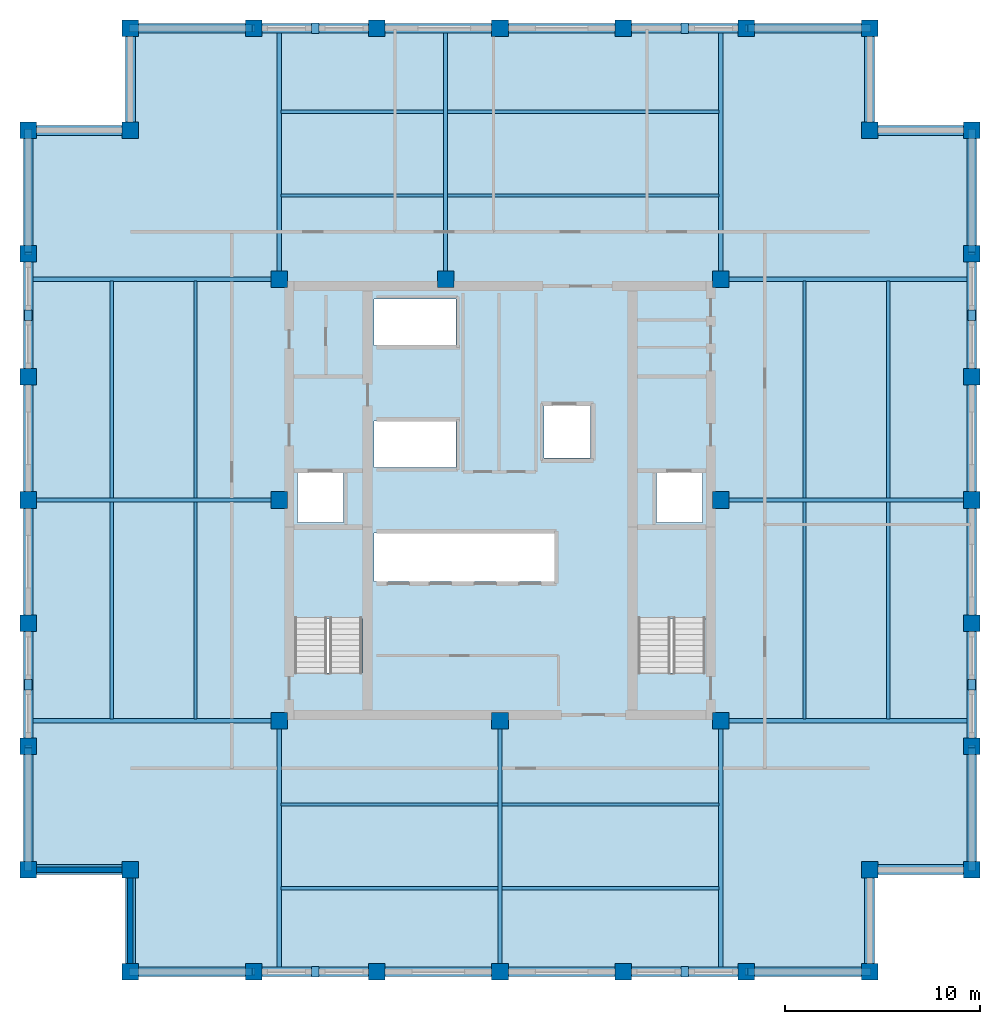
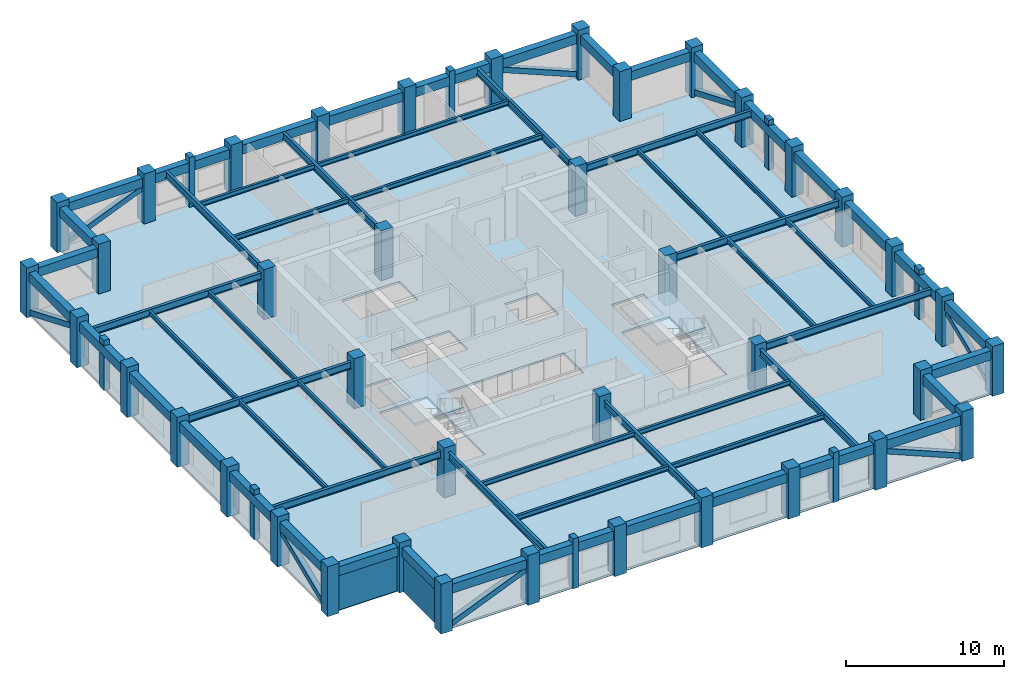
# One storey, part 1 of 6: 60 beams, 40 columns, 16 members, 3 slabs, 2 walls, 2 elements without a shape of their own.
"""IFC4 building model written with IfcOpenShell, lengths in metres."""

from ifc_helpers import new_model, si_unit, direction, frame, frame_2d, origin, origin_2d, place, context, subcontext, project, spatial, polyline, rectangle, hollow_rectangle, i_section, outline, extrude, material, layer, layer_set, material_profile, profile_set, type_object, element, aggregate, save


model = new_model("IFC4")

# Units and contexts
model_context = context("Model", 3, precision=1e-05, world=origin(), true_north=direction((0.0, 1.0)))
body_context = subcontext(model_context, "Body", "Model", "MODEL_VIEW")
ifc_project = project(units=[si_unit("LENGTHUNIT", "METRE"), si_unit("AREAUNIT", "SQUARE_METRE"), si_unit("VOLUMEUNIT", "CUBIC_METRE"), si_unit("PLANEANGLEUNIT", "RADIAN"), si_unit("MASSUNIT", "GRAM", prefix="KILO")], contexts=[model_context])

# Site, building, storey
site_placement = place(None, origin())
site = spatial("IfcSite", under=ifc_project, at=site_placement, CompositionType="ELEMENT")
building_placement = place(site_placement, origin())
building = spatial("IfcBuilding", under=site, at=building_placement, Name="Nhamokura Convention Tower", CompositionType="ELEMENT")
storey_placement = place(building_placement, frame((0.0, 0.0, 248.5)))
storey = spatial("IfcBuildingStorey", under=building, at=storey_placement, Name="L61", CompositionType="ELEMENT", Elevation=248.5)

# Columns
ifc_material_1 = material(Name="Concrete C50/60", Category="concrete")
ifc_material_profile_1 = material_profile(ifc_material_1, rectangle(XDim=0.85009765625, YDim=0.85009765625, at=origin_2d()))
ifc_profile_set_1 = profile_set([ifc_material_profile_1], Name="Concrete C50/60")
column_type = type_object("IfcColumnType", Name="TubeColumn_Z3_850", PredefinedType="COLUMN", material=ifc_profile_set_1)
for number, where, z_axis, x_axis, name in (
    (1, (20.64990234375, 20.64990234375, 0.0), (0.0, 0.0, 1.0), (1.0, 0.0, 0.0), "L61 Core Column CC-SW"),
    (2, (32.0, 20.64990234375, 0.0), (0.0, 0.0, 1.0), (1.0, 0.0, 0.0), "L61 Core Column CC-S"),
    (3, (43.35009765625, 20.64990234375, 0.0), (0.0, 0.0, 1.0), (1.0, 0.0, 0.0), "L61 Core Column CC-SE"),
    (4, (43.35009765625, 32.0, 0.0), (0.0, 0.0, 1.0), (1.0, 0.0, 0.0), "L61 Core Column CC-E"),
    (5, (43.35009765625, 43.35009765625, 0.0), (0.0, 0.0, 1.0), (1.0, 0.0, 0.0), "L61 Core Column CC-NE"),
    (6, (29.199951171875, 43.35009765625, 0.0), (0.0, 0.0, 1.0), (1.0, 0.0, 0.0), "L61 Core Column CC-N"),
    (7, (20.64990234375, 43.35009765625, 0.0), (0.0, 0.0, 1.0), (1.0, 0.0, 0.0), "L61 Core Column CC-NW"),
    (8, (20.64990234375, 32.0, 0.0), (0.0, 0.0, 1.0), (1.0, 0.0, 0.0), "L61 Core Column CC-W"),
    (9, (13.0, 7.75, 0.0), (0.0, 0.0, 1.0), (1.0, 0.0, 0.0), "L61 Perimeter Tube Column SW1"),
    (10, (13.0, 13.0, 0.0), (0.0, 0.0, 1.0), (1.0, 0.0, 0.0), "L61 Perimeter Tube Column SW0"),
    (11, (7.75, 13.0, 0.0), (0.0, 0.0, 1.0), (1.0, 0.0, 0.0), "L61 Perimeter Tube Column SW2"),
    (12, (51.0, 7.75, 0.0), (0.0, 0.0, 1.0), (1.0, 0.0, 0.0), "L61 Perimeter Tube Column SE1"),
    (13, (51.0, 13.0, 0.0), (0.0, 0.0, 1.0), (1.0, 0.0, 0.0), "L61 Perimeter Tube Column SE0"),
    (14, (56.25, 13.0, 0.0), (0.0, 0.0, 1.0), (1.0, 0.0, 0.0), "L61 Perimeter Tube Column SE2"),
    (15, (56.25, 51.0, 0.0), (0.0, 0.0, 1.0), (1.0, 0.0, 0.0), "L61 Perimeter Tube Column NE1"),
    (16, (51.0, 51.0, 0.0), (0.0, 0.0, 1.0), (1.0, 0.0, 0.0), "L61 Perimeter Tube Column NE0"),
    (17, (51.0, 56.25, 0.0), (0.0, 0.0, 1.0), (1.0, 0.0, 0.0), "L61 Perimeter Tube Column NE2"),
    (18, (13.0, 56.25, 0.0), (0.0, 0.0, 1.0), (1.0, 0.0, 0.0), "L61 Perimeter Tube Column NW1"),
    (19, (13.0, 51.0, 0.0), (0.0, 0.0, 1.0), (1.0, 0.0, 0.0), "L61 Perimeter Tube Column NW0"),
    (20, (7.75, 51.0, 0.0), (0.0, 0.0, 1.0), (1.0, 0.0, 0.0), "L61 Perimeter Tube Column NW2"),
    (21, (19.333251953125, 7.75, 0.0), (0.0, 0.0, 1.0), (1.0, 0.0, 0.0), "L61 Perimeter Tube Column S1"),
    (22, (19.333251953125, 56.25, 0.0), (0.0, 0.0, 1.0), (1.0, 0.0, 0.0), "L61 Perimeter Tube Column N1"),
    (23, (7.75, 19.333251953125, 0.0), (0.0, 0.0, 1.0), (1.0, 0.0, 0.0), "L61 Perimeter Tube Column W1"),
    (24, (56.25, 19.333251953125, 0.0), (0.0, 0.0, 1.0), (1.0, 0.0, 0.0), "L61 Perimeter Tube Column E1"),
    (25, (25.666748046875, 7.75, 0.0), (0.0, 0.0, 1.0), (1.0, 0.0, 0.0), "L61 Perimeter Tube Column S2"),
    (26, (25.666748046875, 56.25, 0.0), (0.0, 0.0, 1.0), (1.0, 0.0, 0.0), "L61 Perimeter Tube Column N2"),
    (27, (7.75, 25.666748046875, 0.0), (0.0, 0.0, 1.0), (1.0, 0.0, 0.0), "L61 Perimeter Tube Column W2"),
    (28, (56.25, 25.666748046875, 0.0), (0.0, 0.0, 1.0), (1.0, 0.0, 0.0), "L61 Perimeter Tube Column E2"),
    (29, (32.0, 7.75, 0.0), (0.0, 0.0, 1.0), (1.0, 0.0, 0.0), "L61 Perimeter Tube Column S3"),
    (30, (32.0, 56.25, 0.0), (0.0, 0.0, 1.0), (1.0, 0.0, 0.0), "L61 Perimeter Tube Column N3"),
    (31, (7.75, 32.0, 0.0), (0.0, 0.0, 1.0), (1.0, 0.0, 0.0), "L61 Perimeter Tube Column W3"),
    (32, (56.25, 32.0, 0.0), (0.0, 0.0, 1.0), (1.0, 0.0, 0.0), "L61 Perimeter Tube Column E3"),
    (33, (38.333251953125, 7.75, 0.0), (0.0, 0.0, 1.0), (1.0, 0.0, 0.0), "L61 Perimeter Tube Column S4"),
    (34, (38.333251953125, 56.25, 0.0), (0.0, 0.0, 1.0), (1.0, 0.0, 0.0), "L61 Perimeter Tube Column N4"),
    (35, (7.75, 38.333251953125, 0.0), (0.0, 0.0, 1.0), (1.0, 0.0, 0.0), "L61 Perimeter Tube Column W4"),
    (36, (56.25, 38.333251953125, 0.0), (0.0, 0.0, 1.0), (1.0, 0.0, 0.0), "L61 Perimeter Tube Column E4"),
    (37, (44.666748046875, 7.75, 0.0), (0.0, 0.0, 1.0), (1.0, 0.0, 0.0), "L61 Perimeter Tube Column S5"),
    (38, (44.666748046875, 56.25, 0.0), (0.0, 0.0, 1.0), (1.0, 0.0, 0.0), "L61 Perimeter Tube Column N5"),
    (39, (7.75, 44.666748046875, 0.0), (0.0, 0.0, 1.0), (1.0, 0.0, 0.0), "L61 Perimeter Tube Column W5"),
    (40, (56.25, 44.666748046875, 0.0), (0.0, 0.0, 1.0), (1.0, 0.0, 0.0), "L61 Perimeter Tube Column E5"),
):
    element("IfcColumn", number, at=place(storey_placement, frame(where, z_axis=z_axis, x_axis=x_axis)), inside=storey, type_object=column_type, Name=name, PredefinedType="COLUMN", context=body_context, shape_type="SweptSolid", body=[
        extrude(rectangle(XDim=0.85009765625, YDim=0.85009765625, at=origin_2d()), origin(), (0.0, 0.0, 1.0), 3.85009765625),
    ])

# Members
ifc_material_2 = material(Name="Bronze-pigmented precast concrete C45/55", Category="concrete")
ifc_material_profile_2 = material_profile(ifc_material_2, rectangle(XDim=0.39990234375, YDim=0.550048828125, at=origin_2d()))
ifc_profile_set_2 = profile_set([ifc_material_profile_2], Name="Bronze-pigmented precast concrete C45/55")
member_type_1 = type_object("IfcMemberType", Name="BronzePilaster_550", PredefinedType="USERDEFINED", material=ifc_profile_set_2)
for number, where, z_axis, x_axis, name in (
    (41, (22.5, 7.75, 0.0), (0.0, 0.0, 1.0), (1.0, 0.0, 0.0), "L61 Engaged Frame Pilaster SOUTH 1"),
    (42, (41.5, 7.75, 0.0), (0.0, 0.0, 1.0), (1.0, 0.0, 0.0), "L61 Engaged Frame Pilaster SOUTH 4"),
    (43, (22.5, 56.25, 0.0), (0.0, 0.0, 1.0), (1.0, 0.0, 0.0), "L61 Engaged Frame Pilaster NORTH 1"),
    (44, (41.5, 56.25, 0.0), (0.0, 0.0, 1.0), (1.0, 0.0, 0.0), "L61 Engaged Frame Pilaster NORTH 4"),
    (45, (7.75, 22.5, 0.0), (0.0, 0.0, 1.0), (1.0, 0.0, 0.0), "L61 Engaged Frame Pilaster WEST 1"),
    (46, (7.75, 41.5, 0.0), (0.0, 0.0, 1.0), (1.0, 0.0, 0.0), "L61 Engaged Frame Pilaster WEST 4"),
    (47, (56.25, 22.5, 0.0), (0.0, 0.0, 1.0), (1.0, 0.0, 0.0), "L61 Engaged Frame Pilaster EAST 1"),
    (48, (56.25, 41.5, 0.0), (0.0, 0.0, 1.0), (1.0, 0.0, 0.0), "L61 Engaged Frame Pilaster EAST 4"),
):
    element("IfcMember", number, at=place(storey_placement, frame(where, z_axis=z_axis, x_axis=x_axis)), inside=storey, type_object=member_type_1, Name=name, ObjectType="PILASTER_TRIM", PredefinedType="USERDEFINED", context=body_context, shape_type="SweptSolid", body=[
        extrude(rectangle(XDim=0.39990234375, YDim=0.550048828125, at=origin_2d()), origin(), (0.0, 0.0, 1.0), 3.85009765625),
    ])

# Beams
ifc_material_3 = material(Name="Steel ASTM A992 Gr 50", Category="steel")
ifc_material_profile_3 = material_profile(ifc_material_3, i_section(OverallWidth=0.172119140625, OverallDepth=0.35791015625, WebThickness=0.0078125, FlangeThickness=0.01318359375, at=origin_2d()))
ifc_profile_set_3 = profile_set([ifc_material_profile_3], Name="Steel ASTM A992 Gr 50")
beam_type_1 = type_object("IfcBeamType", Name="FloorJoist_W360X57", PredefinedType="JOIST", material=ifc_profile_set_3)
for number, where, z_axis, x_axis, name in (
    (49, (20.75341796875, 12.050048828125, 3.2509765625), (1.0, 0.0, 0.0), (0.0, 1.0, 0.0), "L61 Composite Floor Joist S1A"),
    (50, (32.103515625, 12.050048828125, 3.2509765625), (1.0, 0.0, 0.0), (0.0, 1.0, 0.0), "L61 Composite Floor Joist S1B"),
    (51, (20.75341796875, 16.35009765625, 3.2509765625), (1.0, 0.0, 0.0), (0.0, 1.0, 0.0), "L61 Composite Floor Joist S2A"),
    (52, (32.103515625, 16.35009765625, 3.2509765625), (1.0, 0.0, 0.0), (0.0, 1.0, 0.0), "L61 Composite Floor Joist S2B"),
):
    element("IfcBeam", number, at=place(storey_placement, frame(where, z_axis=z_axis, x_axis=x_axis)), inside=storey, type_object=beam_type_1, Name=name, PredefinedType="JOIST", context=body_context, shape_type="SweptSolid", body=[
        extrude(i_section(OverallWidth=0.172119140625, OverallDepth=0.35791015625, WebThickness=0.0078125, FlangeThickness=0.01318359375, at=origin_2d()), origin(), (0.0, 0.0, 1.0), 11.14306640625),
    ])
beam_1_placement = place(storey_placement, frame((20.75341796875, 47.64990234375, 3.2509765625), z_axis=(1.0, 0.0, 0.0), x_axis=(0.0, 1.0, 0.0)))
element("IfcBeam", 53, at=beam_1_placement, inside=storey, type_object=beam_type_1, Name="L61 Composite Floor Joist N1A", PredefinedType="JOIST", context=body_context, shape_type="SweptSolid", body=[
    extrude(i_section(OverallWidth=0.172119140625, OverallDepth=0.35791015625, WebThickness=0.0078125, FlangeThickness=0.01318359375, at=origin_2d()), origin(), (0.0, 0.0, 1.0), 8.343017578125),
])
beam_2_placement = place(storey_placement, frame((29.303466796875, 47.64990234375, 3.2509765625), z_axis=(1.0, 0.0, 0.0), x_axis=(0.0, 1.0, 0.0)))
element("IfcBeam", 54, at=beam_2_placement, inside=storey, type_object=beam_type_1, Name="L61 Composite Floor Joist N1B", PredefinedType="JOIST", context=body_context, shape_type="SweptSolid", body=[
    extrude(i_section(OverallWidth=0.172119140625, OverallDepth=0.35791015625, WebThickness=0.0078125, FlangeThickness=0.01318359375, at=origin_2d()), origin(), (0.0, 0.0, 1.0), 13.943115234375),
])
beam_3_placement = place(storey_placement, frame((20.75341796875, 51.949951171875, 3.2509765625), z_axis=(1.0, 0.0, 0.0), x_axis=(0.0, 1.0, 0.0)))
element("IfcBeam", 55, at=beam_3_placement, inside=storey, type_object=beam_type_1, Name="L61 Composite Floor Joist N2A", PredefinedType="JOIST", context=body_context, shape_type="SweptSolid", body=[
    extrude(i_section(OverallWidth=0.172119140625, OverallDepth=0.35791015625, WebThickness=0.0078125, FlangeThickness=0.01318359375, at=origin_2d()), origin(), (0.0, 0.0, 1.0), 8.343017578125),
])
beam_4_placement = place(storey_placement, frame((29.303466796875, 51.949951171875, 3.2509765625), z_axis=(1.0, 0.0, 0.0), x_axis=(0.0, 1.0, 0.0)))
element("IfcBeam", 56, at=beam_4_placement, inside=storey, type_object=beam_type_1, Name="L61 Composite Floor Joist N2B", PredefinedType="JOIST", context=body_context, shape_type="SweptSolid", body=[
    extrude(i_section(OverallWidth=0.172119140625, OverallDepth=0.35791015625, WebThickness=0.0078125, FlangeThickness=0.01318359375, at=origin_2d()), origin(), (0.0, 0.0, 1.0), 13.943115234375),
])
for number, where, z_axis, x_axis, name in (
    (57, (12.050048828125, 20.75341796875, 3.2509765625), (0.0, 1.0, 0.0), (-1.0, 0.0, 0.0), "L61 Composite Floor Joist W1A"),
    (58, (12.050048828125, 32.103515625, 3.2509765625), (0.0, 1.0, 0.0), (-1.0, 0.0, 0.0), "L61 Composite Floor Joist W1B"),
    (59, (16.35009765625, 20.75341796875, 3.2509765625), (0.0, 1.0, 0.0), (-1.0, 0.0, 0.0), "L61 Composite Floor Joist W2A"),
    (60, (16.35009765625, 32.103515625, 3.2509765625), (0.0, 1.0, 0.0), (-1.0, 0.0, 0.0), "L61 Composite Floor Joist W2B"),
    (61, (47.64990234375, 20.75341796875, 3.2509765625), (0.0, 1.0, 0.0), (-1.0, 0.0, 0.0), "L61 Composite Floor Joist E1A"),
    (62, (47.64990234375, 32.103515625, 3.2509765625), (0.0, 1.0, 0.0), (-1.0, 0.0, 0.0), "L61 Composite Floor Joist E1B"),
    (63, (51.949951171875, 20.75341796875, 3.2509765625), (0.0, 1.0, 0.0), (-1.0, 0.0, 0.0), "L61 Composite Floor Joist E2A"),
    (64, (51.949951171875, 32.103515625, 3.2509765625), (0.0, 1.0, 0.0), (-1.0, 0.0, 0.0), "L61 Composite Floor Joist E2B"),
):
    element("IfcBeam", number, at=place(storey_placement, frame(where, z_axis=z_axis, x_axis=x_axis)), inside=storey, type_object=beam_type_1, Name=name, PredefinedType="JOIST", context=body_context, shape_type="SweptSolid", body=[
        extrude(i_section(OverallWidth=0.172119140625, OverallDepth=0.35791015625, WebThickness=0.0078125, FlangeThickness=0.01318359375, at=origin_2d()), origin(), (0.0, 0.0, 1.0), 11.14306640625),
    ])
ifc_material_4 = material(Name="Steel ASTM A992 Gr 50", Category="steel")
ifc_material_profile_4 = material_profile(ifc_material_4, i_section(OverallWidth=0.2109375, OverallDepth=0.5390625, WebThickness=0.01171875, FlangeThickness=0.018798828125, at=origin_2d()))
ifc_profile_set_4 = profile_set([ifc_material_profile_4], Name="Steel ASTM A992 Gr 50")
beam_type_2 = type_object("IfcBeamType", Name="PrimaryGirder_W530X109", PredefinedType="BEAM", material=ifc_profile_set_4)
for number, where, z_axis, x_axis, name in (
    (65, (20.64990234375, 7.75, 3.160400390625), (0.0, 1.0, 0.0), (-1.0, 0.0, 0.0), "L61 Primary Floor Girder PG-S1"),
    (66, (32.0, 7.75, 3.160400390625), (0.0, 1.0, 0.0), (-1.0, 0.0, 0.0), "L61 Primary Floor Girder PG-S2"),
    (67, (43.35009765625, 7.75, 3.160400390625), (0.0, 1.0, 0.0), (-1.0, 0.0, 0.0), "L61 Primary Floor Girder PG-S3"),
    (68, (20.64990234375, 43.35009765625, 3.160400390625), (0.0, 1.0, 0.0), (-1.0, 0.0, 0.0), "L61 Primary Floor Girder PG-N1"),
    (69, (29.199951171875, 43.35009765625, 3.160400390625), (0.0, 1.0, 0.0), (-1.0, 0.0, 0.0), "L61 Primary Floor Girder PG-N2"),
    (70, (43.35009765625, 43.35009765625, 3.160400390625), (0.0, 1.0, 0.0), (-1.0, 0.0, 0.0), "L61 Primary Floor Girder PG-N3"),
    (71, (7.75, 20.64990234375, 3.160400390625), (1.0, 0.0, 0.0), (0.0, 1.0, 0.0), "L61 Primary Floor Girder PG-W1"),
    (72, (7.75, 32.0, 3.160400390625), (1.0, 0.0, 0.0), (0.0, 1.0, 0.0), "L61 Primary Floor Girder PG-W2"),
    (73, (7.75, 43.35009765625, 3.160400390625), (1.0, 0.0, 0.0), (0.0, 1.0, 0.0), "L61 Primary Floor Girder PG-W3"),
    (74, (43.35009765625, 20.64990234375, 3.160400390625), (1.0, 0.0, 0.0), (0.0, 1.0, 0.0), "L61 Primary Floor Girder PG-E1"),
    (75, (43.35009765625, 32.0, 3.160400390625), (1.0, 0.0, 0.0), (0.0, 1.0, 0.0), "L61 Primary Floor Girder PG-E2"),
    (76, (43.35009765625, 43.35009765625, 3.160400390625), (1.0, 0.0, 0.0), (0.0, 1.0, 0.0), "L61 Primary Floor Girder PG-E3"),
):
    element("IfcBeam", number, at=place(storey_placement, frame(where, z_axis=z_axis, x_axis=x_axis)), inside=storey, type_object=beam_type_2, Name=name, PredefinedType="BEAM", context=body_context, shape_type="SweptSolid", body=[
        extrude(i_section(OverallWidth=0.2109375, OverallDepth=0.5390625, WebThickness=0.01171875, FlangeThickness=0.018798828125, at=origin_2d()), origin(), (0.0, 0.0, 1.0), 12.89990234375),
    ])

# Members
ifc_material_5 = material(Name="Steel ASTM A572 Gr 50", Category="steel")
ifc_material_profile_5 = material_profile(ifc_material_5, hollow_rectangle(XDim=0.39990234375, YDim=0.39990234375, WallThickness=0.02001953125, at=origin_2d()))
ifc_profile_set_5 = profile_set([ifc_material_profile_5], Name="Steel ASTM A572 Gr 50")
member_type_2 = type_object("IfcMemberType", Name="TubeBrace_HSS400", PredefinedType="BRACE", material=ifc_profile_set_5)
for number, where, z_axis, x_axis, name in (
    (77, (13.0, 7.75, 0.14990234375), (0.923528146163, 0.0, 0.383530654895), (0.0, 1.0, 0.0), "L61 Perimeter Tube Brace SOUTH Bay 0"),
    (78, (51.0, 7.75, 0.14990234375), (-0.923528146163, 0.0, 0.383530654895), (0.0, -1.0, 0.0), "L61 Perimeter Tube Brace SOUTH Bay 5"),
    (79, (13.0, 56.25, 0.14990234375), (0.923528146163, 0.0, 0.383530654895), (0.0, 1.0, 0.0), "L61 Perimeter Tube Brace NORTH Bay 0"),
    (80, (51.0, 56.25, 0.14990234375), (-0.923528146163, 0.0, 0.383530654895), (0.0, -1.0, 0.0), "L61 Perimeter Tube Brace NORTH Bay 5"),
    (81, (7.75, 13.0, 0.14990234375), (0.0, 0.923528146163, 0.383530654895), (-1.0, 0.0, 0.0), "L61 Perimeter Tube Brace WEST Bay 0"),
    (82, (7.75, 51.0, 0.14990234375), (0.0, -0.923528146163, 0.383530654895), (1.0, 0.0, 0.0), "L61 Perimeter Tube Brace WEST Bay 5"),
    (83, (56.25, 13.0, 0.14990234375), (0.0, 0.923528146163, 0.383530654895), (-1.0, 0.0, 0.0), "L61 Perimeter Tube Brace EAST Bay 0"),
    (84, (56.25, 51.0, 0.14990234375), (0.0, -0.923528146163, 0.383530654895), (1.0, 0.0, 0.0), "L61 Perimeter Tube Brace EAST Bay 5"),
):
    element("IfcMember", number, at=place(storey_placement, frame(where, z_axis=z_axis, x_axis=x_axis)), inside=storey, type_object=member_type_2, Name=name, PredefinedType="BRACE", context=body_context, shape_type="SweptSolid", body=[
        extrude(hollow_rectangle(XDim=0.39990234375, YDim=0.39990234375, WallThickness=0.02001953125, at=origin_2d()), origin(), (0.0, 0.0, 1.0), 6.857666015625),
    ])

# Beams
ifc_material_6 = material(Name="Concrete C50/60", Category="concrete")
ifc_material_profile_6 = material_profile(ifc_material_6, rectangle(XDim=0.5, YDim=0.699951171875, at=origin_2d()))
ifc_profile_set_6 = profile_set([ifc_material_profile_6], Name="Concrete C50/60")
beam_type_3 = type_object("IfcBeamType", Name="TubeSpandrel_700", PredefinedType="SPANDREL", material=ifc_profile_set_6)
beam_5_placement = place(storey_placement, frame((13.0, 7.75, 3.080078125), z_axis=(1.0, 0.0, 0.0), x_axis=(0.0, 1.0, 0.0)))
element("IfcBeam", 85, at=beam_5_placement, inside=storey, type_object=beam_type_3, Name="L61 Perimeter Spandrel SOUTH 1", PredefinedType="SPANDREL", context=body_context, shape_type="SweptSolid", body=[
    extrude(rectangle(XDim=0.5, YDim=0.699951171875, at=origin_2d()), origin(), (0.0, 0.0, 1.0), 6.333251953125),
])
beam_6_placement = place(storey_placement, frame((19.333251953125, 7.75, 3.080078125), z_axis=(1.0, 0.0, 0.0), x_axis=(0.0, 1.0, 0.0)))
element("IfcBeam", 86, at=beam_6_placement, inside=storey, type_object=beam_type_3, Name="L61 Perimeter Spandrel SOUTH 2", PredefinedType="SPANDREL", context=body_context, shape_type="SweptSolid", body=[
    extrude(rectangle(XDim=0.5, YDim=0.699951171875, at=origin_2d()), origin(), (0.0, 0.0, 1.0), 6.33349609375),
])
for number, where, z_axis, x_axis, name in (
    (87, (25.666748046875, 7.75, 3.080078125), (1.0, 0.0, 0.0), (0.0, 1.0, 0.0), "L61 Perimeter Spandrel SOUTH 3"),
    (88, (32.0, 7.75, 3.080078125), (1.0, 0.0, 0.0), (0.0, 1.0, 0.0), "L61 Perimeter Spandrel SOUTH 4"),
):
    element("IfcBeam", number, at=place(storey_placement, frame(where, z_axis=z_axis, x_axis=x_axis)), inside=storey, type_object=beam_type_3, Name=name, PredefinedType="SPANDREL", context=body_context, shape_type="SweptSolid", body=[
        extrude(rectangle(XDim=0.5, YDim=0.699951171875, at=origin_2d()), origin(), (0.0, 0.0, 1.0), 6.333251953125),
    ])
beam_7_placement = place(storey_placement, frame((38.333251953125, 7.75, 3.080078125), z_axis=(1.0, 0.0, 0.0), x_axis=(0.0, 1.0, 0.0)))
element("IfcBeam", 89, at=beam_7_placement, inside=storey, type_object=beam_type_3, Name="L61 Perimeter Spandrel SOUTH 5", PredefinedType="SPANDREL", context=body_context, shape_type="SweptSolid", body=[
    extrude(rectangle(XDim=0.5, YDim=0.699951171875, at=origin_2d()), origin(), (0.0, 0.0, 1.0), 6.33349609375),
])
for number, where, z_axis, x_axis, name in (
    (90, (44.666748046875, 7.75, 3.080078125), (1.0, 0.0, 0.0), (0.0, 1.0, 0.0), "L61 Perimeter Spandrel SOUTH 6"),
    (91, (13.0, 56.25, 3.080078125), (1.0, 0.0, 0.0), (0.0, 1.0, 0.0), "L61 Perimeter Spandrel NORTH 1"),
):
    element("IfcBeam", number, at=place(storey_placement, frame(where, z_axis=z_axis, x_axis=x_axis)), inside=storey, type_object=beam_type_3, Name=name, PredefinedType="SPANDREL", context=body_context, shape_type="SweptSolid", body=[
        extrude(rectangle(XDim=0.5, YDim=0.699951171875, at=origin_2d()), origin(), (0.0, 0.0, 1.0), 6.333251953125),
    ])
beam_8_placement = place(storey_placement, frame((19.333251953125, 56.25, 3.080078125), z_axis=(1.0, 0.0, 0.0), x_axis=(0.0, 1.0, 0.0)))
element("IfcBeam", 92, at=beam_8_placement, inside=storey, type_object=beam_type_3, Name="L61 Perimeter Spandrel NORTH 2", PredefinedType="SPANDREL", context=body_context, shape_type="SweptSolid", body=[
    extrude(rectangle(XDim=0.5, YDim=0.699951171875, at=origin_2d()), origin(), (0.0, 0.0, 1.0), 6.33349609375),
])
for number, where, z_axis, x_axis, name in (
    (93, (25.666748046875, 56.25, 3.080078125), (1.0, 0.0, 0.0), (0.0, 1.0, 0.0), "L61 Perimeter Spandrel NORTH 3"),
    (94, (32.0, 56.25, 3.080078125), (1.0, 0.0, 0.0), (0.0, 1.0, 0.0), "L61 Perimeter Spandrel NORTH 4"),
):
    element("IfcBeam", number, at=place(storey_placement, frame(where, z_axis=z_axis, x_axis=x_axis)), inside=storey, type_object=beam_type_3, Name=name, PredefinedType="SPANDREL", context=body_context, shape_type="SweptSolid", body=[
        extrude(rectangle(XDim=0.5, YDim=0.699951171875, at=origin_2d()), origin(), (0.0, 0.0, 1.0), 6.333251953125),
    ])
beam_9_placement = place(storey_placement, frame((38.333251953125, 56.25, 3.080078125), z_axis=(1.0, 0.0, 0.0), x_axis=(0.0, 1.0, 0.0)))
element("IfcBeam", 95, at=beam_9_placement, inside=storey, type_object=beam_type_3, Name="L61 Perimeter Spandrel NORTH 5", PredefinedType="SPANDREL", context=body_context, shape_type="SweptSolid", body=[
    extrude(rectangle(XDim=0.5, YDim=0.699951171875, at=origin_2d()), origin(), (0.0, 0.0, 1.0), 6.33349609375),
])
for number, where, z_axis, x_axis, name in (
    (96, (44.666748046875, 56.25, 3.080078125), (1.0, 0.0, 0.0), (0.0, 1.0, 0.0), "L61 Perimeter Spandrel NORTH 6"),
    (97, (7.75, 13.0, 3.080078125), (0.0, 1.0, 0.0), (-1.0, 0.0, 0.0), "L61 Perimeter Spandrel WEST 1"),
):
    element("IfcBeam", number, at=place(storey_placement, frame(where, z_axis=z_axis, x_axis=x_axis)), inside=storey, type_object=beam_type_3, Name=name, PredefinedType="SPANDREL", context=body_context, shape_type="SweptSolid", body=[
        extrude(rectangle(XDim=0.5, YDim=0.699951171875, at=origin_2d()), origin(), (0.0, 0.0, 1.0), 6.333251953125),
    ])
beam_10_placement = place(storey_placement, frame((7.75, 19.333251953125, 3.080078125), z_axis=(0.0, 1.0, 0.0), x_axis=(-1.0, 0.0, 0.0)))
element("IfcBeam", 98, at=beam_10_placement, inside=storey, type_object=beam_type_3, Name="L61 Perimeter Spandrel WEST 2", PredefinedType="SPANDREL", context=body_context, shape_type="SweptSolid", body=[
    extrude(rectangle(XDim=0.5, YDim=0.699951171875, at=origin_2d()), origin(), (0.0, 0.0, 1.0), 6.33349609375),
])
for number, where, z_axis, x_axis, name in (
    (99, (7.75, 25.666748046875, 3.080078125), (0.0, 1.0, 0.0), (-1.0, 0.0, 0.0), "L61 Perimeter Spandrel WEST 3"),
    (100, (7.75, 32.0, 3.080078125), (0.0, 1.0, 0.0), (-1.0, 0.0, 0.0), "L61 Perimeter Spandrel WEST 4"),
):
    element("IfcBeam", number, at=place(storey_placement, frame(where, z_axis=z_axis, x_axis=x_axis)), inside=storey, type_object=beam_type_3, Name=name, PredefinedType="SPANDREL", context=body_context, shape_type="SweptSolid", body=[
        extrude(rectangle(XDim=0.5, YDim=0.699951171875, at=origin_2d()), origin(), (0.0, 0.0, 1.0), 6.333251953125),
    ])
beam_11_placement = place(storey_placement, frame((7.75, 38.333251953125, 3.080078125), z_axis=(0.0, 1.0, 0.0), x_axis=(-1.0, 0.0, 0.0)))
element("IfcBeam", 101, at=beam_11_placement, inside=storey, type_object=beam_type_3, Name="L61 Perimeter Spandrel WEST 5", PredefinedType="SPANDREL", context=body_context, shape_type="SweptSolid", body=[
    extrude(rectangle(XDim=0.5, YDim=0.699951171875, at=origin_2d()), origin(), (0.0, 0.0, 1.0), 6.33349609375),
])
for number, where, z_axis, x_axis, name in (
    (102, (7.75, 44.666748046875, 3.080078125), (0.0, 1.0, 0.0), (-1.0, 0.0, 0.0), "L61 Perimeter Spandrel WEST 6"),
    (103, (56.25, 13.0, 3.080078125), (0.0, 1.0, 0.0), (-1.0, 0.0, 0.0), "L61 Perimeter Spandrel EAST 1"),
):
    element("IfcBeam", number, at=place(storey_placement, frame(where, z_axis=z_axis, x_axis=x_axis)), inside=storey, type_object=beam_type_3, Name=name, PredefinedType="SPANDREL", context=body_context, shape_type="SweptSolid", body=[
        extrude(rectangle(XDim=0.5, YDim=0.699951171875, at=origin_2d()), origin(), (0.0, 0.0, 1.0), 6.333251953125),
    ])
beam_12_placement = place(storey_placement, frame((56.25, 19.333251953125, 3.080078125), z_axis=(0.0, 1.0, 0.0), x_axis=(-1.0, 0.0, 0.0)))
element("IfcBeam", 104, at=beam_12_placement, inside=storey, type_object=beam_type_3, Name="L61 Perimeter Spandrel EAST 2", PredefinedType="SPANDREL", context=body_context, shape_type="SweptSolid", body=[
    extrude(rectangle(XDim=0.5, YDim=0.699951171875, at=origin_2d()), origin(), (0.0, 0.0, 1.0), 6.33349609375),
])
for number, where, z_axis, x_axis, name in (
    (105, (56.25, 25.666748046875, 3.080078125), (0.0, 1.0, 0.0), (-1.0, 0.0, 0.0), "L61 Perimeter Spandrel EAST 3"),
    (106, (56.25, 32.0, 3.080078125), (0.0, 1.0, 0.0), (-1.0, 0.0, 0.0), "L61 Perimeter Spandrel EAST 4"),
):
    element("IfcBeam", number, at=place(storey_placement, frame(where, z_axis=z_axis, x_axis=x_axis)), inside=storey, type_object=beam_type_3, Name=name, PredefinedType="SPANDREL", context=body_context, shape_type="SweptSolid", body=[
        extrude(rectangle(XDim=0.5, YDim=0.699951171875, at=origin_2d()), origin(), (0.0, 0.0, 1.0), 6.333251953125),
    ])
beam_13_placement = place(storey_placement, frame((56.25, 38.333251953125, 3.080078125), z_axis=(0.0, 1.0, 0.0), x_axis=(-1.0, 0.0, 0.0)))
element("IfcBeam", 107, at=beam_13_placement, inside=storey, type_object=beam_type_3, Name="L61 Perimeter Spandrel EAST 5", PredefinedType="SPANDREL", context=body_context, shape_type="SweptSolid", body=[
    extrude(rectangle(XDim=0.5, YDim=0.699951171875, at=origin_2d()), origin(), (0.0, 0.0, 1.0), 6.33349609375),
])
beam_14_placement = place(storey_placement, frame((56.25, 44.666748046875, 3.080078125), z_axis=(0.0, 1.0, 0.0), x_axis=(-1.0, 0.0, 0.0)))
element("IfcBeam", 108, at=beam_14_placement, inside=storey, type_object=beam_type_3, Name="L61 Perimeter Spandrel EAST 6", PredefinedType="SPANDREL", context=body_context, shape_type="SweptSolid", body=[
    extrude(rectangle(XDim=0.5, YDim=0.699951171875, at=origin_2d()), origin(), (0.0, 0.0, 1.0), 6.333251953125),
])
for number, where, z_axis, x_axis, name in (
    (109, (13.0, 7.75, 3.080078125), (0.0, 1.0, 0.0), (-1.0, 0.0, 0.0), "L61 Notch Spandrel SW1"),
    (110, (13.0, 13.0, 3.080078125), (-1.0, 0.0, 0.0), (0.0, -1.0, 0.0), "L61 Notch Spandrel SW2"),
    (111, (51.0, 7.75, 3.080078125), (0.0, 1.0, 0.0), (-1.0, 0.0, 0.0), "L61 Notch Spandrel SE1"),
    (112, (51.0, 13.0, 3.080078125), (1.0, 0.0, 0.0), (0.0, 1.0, 0.0), "L61 Notch Spandrel SE2"),
    (113, (56.25, 51.0, 3.080078125), (-1.0, 0.0, 0.0), (0.0, -1.0, 0.0), "L61 Notch Spandrel NE1"),
    (114, (51.0, 51.0, 3.080078125), (0.0, 1.0, 0.0), (-1.0, 0.0, 0.0), "L61 Notch Spandrel NE2"),
    (115, (13.0, 56.25, 3.080078125), (0.0, -1.0, 0.0), (1.0, 0.0, 0.0), "L61 Notch Spandrel NW1"),
    (116, (13.0, 51.0, 3.080078125), (-1.0, 0.0, 0.0), (0.0, -1.0, 0.0), "L61 Notch Spandrel NW2"),
):
    element("IfcBeam", number, at=place(storey_placement, frame(where, z_axis=z_axis, x_axis=x_axis)), inside=storey, type_object=beam_type_3, Name=name, PredefinedType="SPANDREL", context=body_context, shape_type="SweptSolid", body=[
        extrude(rectangle(XDim=0.5, YDim=0.699951171875, at=origin_2d()), origin(), (0.0, 0.0, 1.0), 5.25),
    ])

# Slab
ifc_material_7 = material(Name="Concrete C40/50", Category="concrete")
ifc_layer_1 = layer(ifc_material_7, 0.1650390625)
ifc_layer_set_1 = layer_set([ifc_layer_1], Name="OfficeFloorSlab_165")
slab_type_1 = type_object("IfcSlabType", Name="OfficeFloorSlab_165", PredefinedType="FLOOR", material=ifc_layer_set_1)
slab_1_placement = place(storey_placement, frame((0.0, 0.0, -0.1650390625)))
element("IfcSlab", 117, at=slab_1_placement, inside=storey, type_object=slab_type_1, Name="L61 Structural Floor Slab", PredefinedType="FLOOR", context=body_context, shape_type="SweptSolid", body=[
    extrude(outline(polyline([(13.0, 7.75), (51.0, 7.75), (51.0, 13.0), (56.25, 13.0), (56.25, 51.0), (51.0, 51.0), (51.0, 56.25), (13.0, 56.25), (13.0, 51.0), (7.75, 51.0), (7.75, 13.0), (13.0, 13.0), (13.0, 7.75)]), holes=[polyline([(24.89990234375, 23.10009765625), (24.89990234375, 30.449951171875), (21.449951171875, 30.449951171875), (21.449951171875, 23.10009765625), (24.89990234375, 23.10009765625)]), polyline([(42.550048828125, 23.10009765625), (42.550048828125, 30.449951171875), (39.10009765625, 30.449951171875), (39.10009765625, 23.10009765625), (42.550048828125, 23.10009765625)]), polyline([(21.60009765625, 30.85009765625), (23.949951171875, 30.85009765625), (23.949951171875, 33.39990234375), (21.60009765625, 33.39990234375), (21.60009765625, 30.85009765625)]), polyline([(40.050048828125, 30.85009765625), (42.39990234375, 30.85009765625), (42.39990234375, 33.39990234375), (40.050048828125, 33.39990234375), (40.050048828125, 30.85009765625)]), polyline([(34.25, 34.14990234375), (36.64990234375, 34.14990234375), (36.64990234375, 36.85009765625), (34.25, 36.85009765625), (34.25, 34.14990234375)]), polyline([(25.52001953125, 27.800048828125), (34.800048828125, 27.800048828125), (34.800048828125, 30.300048828125), (25.52001953125, 30.300048828125), (25.52001953125, 27.800048828125)]), polyline([(25.52001953125, 33.679931640625), (29.75, 33.679931640625), (29.75, 36.050048828125), (25.52001953125, 36.050048828125), (25.52001953125, 33.679931640625)]), polyline([(25.52001953125, 39.949951171875), (29.75, 39.949951171875), (29.75, 42.320068359375), (25.52001953125, 42.320068359375), (25.52001953125, 39.949951171875)])]), origin(), (0.0, 0.0, 1.0), 0.1650390625),
])

# Stair, slab
ifc_material_8 = material(Name="Concrete C40/50", Category="concrete")
stair_type = type_object("IfcStairType", Name="TowerCoreStair_1650", PredefinedType="HALF_TURN_STAIR", material=ifc_material_8)
stair_1_placement = place(storey_placement, origin())
stair_1 = element("IfcStair", 118, at=stair_1_placement, inside=storey, type_object=stair_type, Name="L61 West Core Smokeproof Stair ST-01", PredefinedType="HALF_TURN_STAIR")
ifc_material_9 = material(Name="Concrete C40/50", Category="concrete")
ifc_layer_2 = layer(ifc_material_9, 0.199951171875)
ifc_layer_set_2 = layer_set([ifc_layer_2], Name="StairLandingSlab_200")
slab_type_2 = type_object("IfcSlabType", Name="StairLandingSlab_200", PredefinedType="LANDING", material=ifc_layer_set_2)
slab_2_placement = place(storey_placement, frame((0.0, 0.0, 1.72509765625)))
slab_2 = element("IfcSlab", 119, at=slab_2_placement, type_object=slab_type_2, Name="ST-01 landing 1", PredefinedType="LANDING", context=body_context, shape_type="SweptSolid", body=[
    extrude(outline(polyline([(24.97998046875, 25.8701171875), (24.97998046875, 30.530029296875), (21.3701171875, 30.530029296875), (21.3701171875, 25.8701171875), (24.97998046875, 25.8701171875)])), origin(), (0.0, 0.0, 1.0), 0.199951171875),
])
aggregate(stair_1, [slab_2])

stair_2_placement = place(storey_placement, origin())
stair_2 = element("IfcStair", 120, at=stair_2_placement, inside=storey, type_object=stair_type, Name="L61 East Core Smokeproof Stair ST-02", PredefinedType="HALF_TURN_STAIR")
slab_3_placement = place(storey_placement, frame((0.0, 0.0, 1.72509765625)))
slab_3 = element("IfcSlab", 121, at=slab_3_placement, type_object=slab_type_2, Name="ST-02 landing 1", PredefinedType="LANDING", context=body_context, shape_type="SweptSolid", body=[
    extrude(outline(polyline([(42.6298828125, 25.8701171875), (42.6298828125, 30.530029296875), (39.02001953125, 30.530029296875), (39.02001953125, 25.8701171875), (42.6298828125, 25.8701171875)])), origin(), (0.0, 0.0, 1.0), 0.199951171875),
])
aggregate(stair_2, [slab_3])

# Walls
ifc_material_10 = material(Name="Bronze-pigmented precast concrete C45/55", Category="concrete")
ifc_layer_3 = layer(ifc_material_10, 0.280029296875)
ifc_layer_set_3 = layer_set([ifc_layer_3], Name="BronzePrecastSpandrel_280")
wall_type = type_object("IfcWallType", Name="BronzePrecastSpandrel_280", PredefinedType="USERDEFINED", material=ifc_layer_set_3)
for number, where, z_axis, x_axis, name in (
    (122, (13.0, 7.75, 0.0), (0.0, 0.0, 1.0), (0.0, 1.0, 0.0), "L61 Notched Corner Wall SW1"),
    (123, (13.0, 13.0, 0.0), (0.0, 0.0, 1.0), (-1.0, 0.0, 0.0), "L61 Notched Corner Wall SW2"),
):
    element("IfcWall", number, at=place(storey_placement, frame(where, z_axis=z_axis, x_axis=x_axis)), inside=storey, type_object=wall_type, Name=name, ObjectType="SPANDREL_WALL", PredefinedType="USERDEFINED", context=body_context, shape_type="SweptSolid", body=[
        extrude(rectangle(XDim=5.25, YDim=0.280029296875, at=frame_2d((2.625, 0.0))), origin(), (0.0, 0.0, 1.0), 2.72998046875),
    ])

save(model, "model.ifc")
